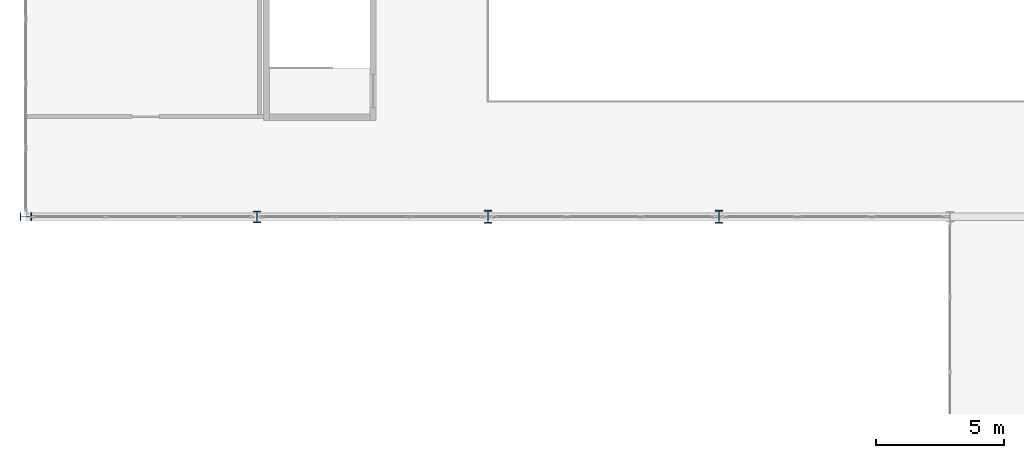
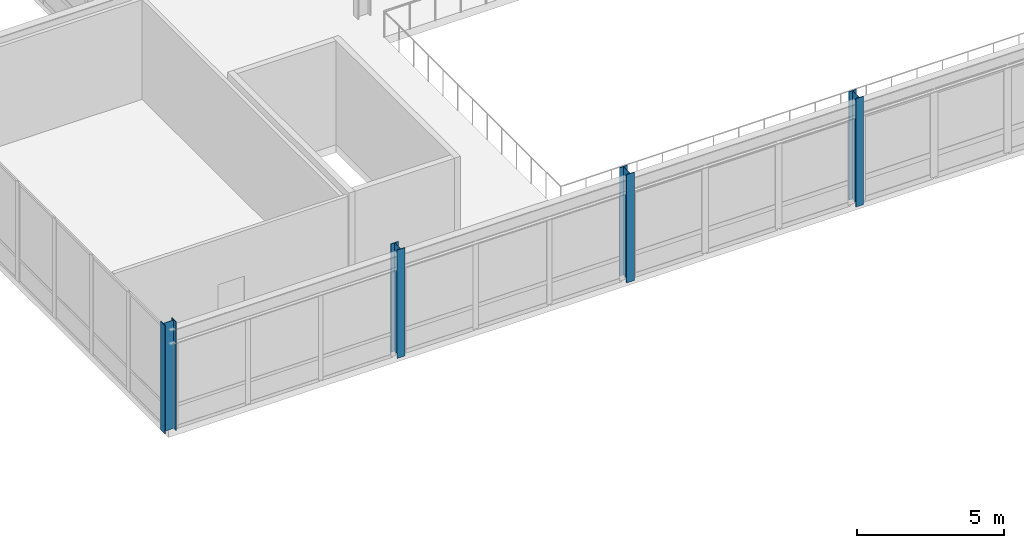
# One storey, part 8 of 115: 4 columns.
"""IFC4 building model written with IfcOpenShell, lengths in metres."""

from ifc_helpers import new_model, si_unit, direction, frame, origin, origin_2d, place, context, subcontext, project, spatial, i_section, extrude, material, material_profile, profile_set, type_object, element, save


model = new_model("IFC4")

# Units and contexts
model_context = context("Model", 3, precision=1e-05, world=origin(), true_north=direction((0.0, 1.0)))
body_context = subcontext(model_context, "Body", "Model", "MODEL_VIEW")
ifc_project = project(units=[si_unit("LENGTHUNIT", "METRE"), si_unit("AREAUNIT", "SQUARE_METRE"), si_unit("VOLUMEUNIT", "CUBIC_METRE"), si_unit("PLANEANGLEUNIT", "RADIAN"), si_unit("MASSUNIT", "GRAM", prefix="KILO")], contexts=[model_context])

# Site, building, storey
site_placement = place(None, origin())
site = spatial("IfcSite", under=ifc_project, at=site_placement, CompositionType="ELEMENT")
building_placement = place(site_placement, origin())
building = spatial("IfcBuilding", under=site, at=building_placement, Name="Montelvaro Courts of Justice", CompositionType="ELEMENT")
storey_placement = place(building_placement, frame((0.0, 0.0, 9.89990234375)))
storey = spatial("IfcBuildingStorey", under=building, at=storey_placement, Name="L02", CompositionType="ELEMENT", Elevation=9.89990234375)

# Columns
ifc_material = material(Name="Steel S355", Category="steel")
ifc_material_profile_1 = material_profile(ifc_material, i_section(OverallWidth=0.300048828125, OverallDepth=0.449951171875, WebThickness=0.013916015625, FlangeThickness=0.02587890625, at=origin_2d()), Name="HEB 450")
ifc_profile_set_1 = profile_set([ifc_material_profile_1], Name="Steel S355")
column_type_1 = type_object("IfcColumnType", Name="Col_HEB450", PredefinedType="COLUMN", material=ifc_profile_set_1)
for number, where, z_axis, x_axis, name in (
    (1, (18.0, 78.0, 0.0), (0.0, 0.0, 1.0), (0.0, 1.0, 0.0), "Column C-08 L02 3/G"),
    (2, (27.0, 78.0, 0.0), (0.0, 0.0, 1.0), (1.0, 0.0, 0.0), "Column C-08 L02 4/G"),
):
    element("IfcColumn", number, at=place(storey_placement, frame(where, z_axis=z_axis, x_axis=x_axis)), inside=storey, type_object=column_type_1, Name=name, PredefinedType="COLUMN", context=body_context, shape_type="SweptSolid", body=[
        extrude(i_section(OverallWidth=0.300048828125, OverallDepth=0.449951171875, WebThickness=0.013916015625, FlangeThickness=0.02587890625, at=origin_2d()), origin(), (0.0, 0.0, 1.0), 4.5),
    ])
ifc_material_profile_2 = material_profile(ifc_material, i_section(OverallWidth=0.300048828125, OverallDepth=0.5, WebThickness=0.014404296875, FlangeThickness=0.028076171875, at=origin_2d()), Name="HEB 500")
ifc_profile_set_2 = profile_set([ifc_material_profile_2], Name="Steel S355")
column_type_2 = type_object("IfcColumnType", Name="Col_HEB500", PredefinedType="COLUMN", material=ifc_profile_set_2)
for number, where, z_axis, x_axis, name in (
    (3, (36.0, 78.0, 0.0), (0.0, 0.0, 1.0), (1.0, 0.0, 0.0), "Column C-09 L02 5/G"),
    (4, (45.0, 78.0, 0.0), (0.0, 0.0, 1.0), (1.0, 0.0, 0.0), "Column C-09 L02 6/G"),
):
    element("IfcColumn", number, at=place(storey_placement, frame(where, z_axis=z_axis, x_axis=x_axis)), inside=storey, type_object=column_type_2, Name=name, PredefinedType="COLUMN", context=body_context, shape_type="SweptSolid", body=[
        extrude(i_section(OverallWidth=0.300048828125, OverallDepth=0.5, WebThickness=0.014404296875, FlangeThickness=0.028076171875, at=origin_2d()), origin(), (0.0, 0.0, 1.0), 4.5),
    ])

save(model, "model.ifc")
